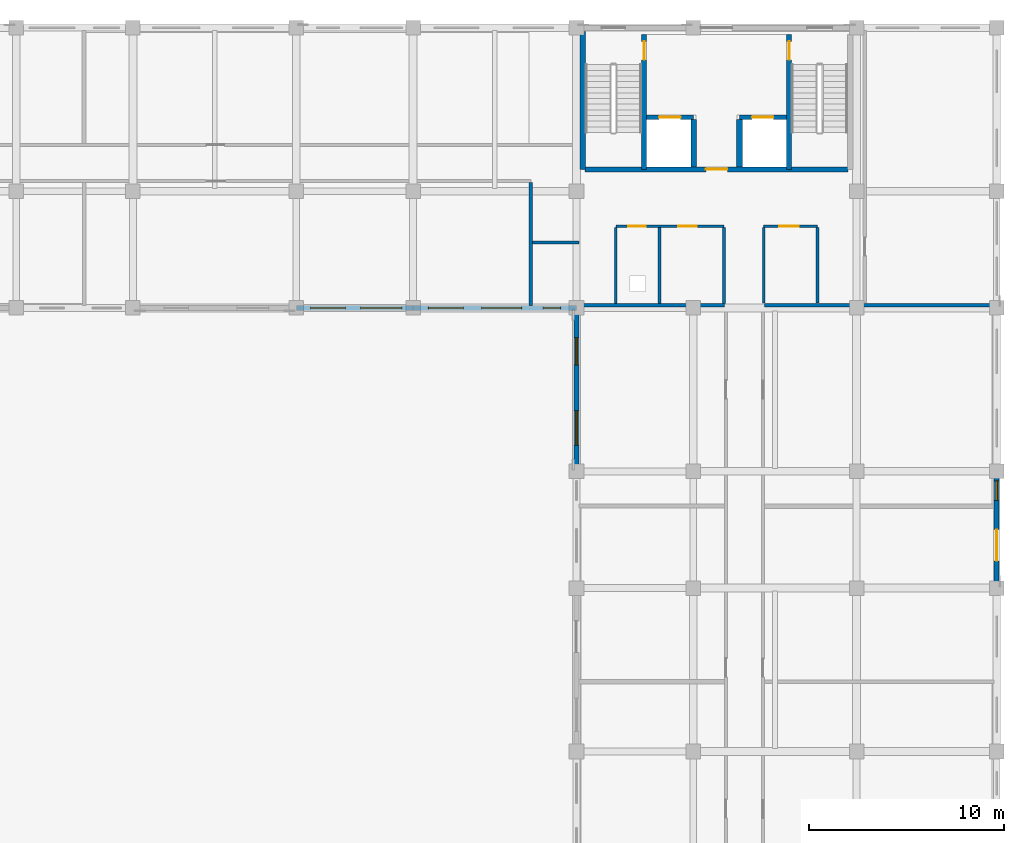
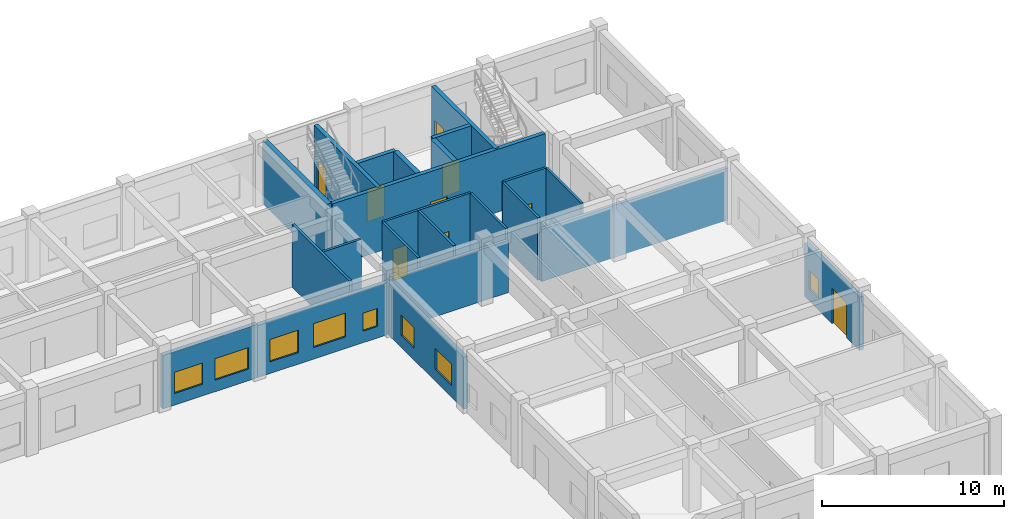
# One storey, part 47 of 67: 23 walls, 9 doors, 8 windows, 17 openings.
"""IFC4 building model written with IfcOpenShell, lengths in metres."""

from ifc_helpers import new_model, si_unit, direction, frame, frame_2d, origin, place, context, subcontext, project, spatial, rectangle, extrude, material, layer, layer_set, type_object, element, fill, save


model = new_model("IFC4")

# Units and contexts
model_context = context("Model", 3, precision=1e-05, world=origin(), true_north=direction((0.0, 1.0)))
body_context = subcontext(model_context, "Body", "Model", "MODEL_VIEW")
ifc_project = project(units=[si_unit("LENGTHUNIT", "METRE"), si_unit("AREAUNIT", "SQUARE_METRE"), si_unit("VOLUMEUNIT", "CUBIC_METRE"), si_unit("PLANEANGLEUNIT", "RADIAN"), si_unit("MASSUNIT", "GRAM", prefix="KILO"), si_unit("THERMODYNAMICTEMPERATUREUNIT", "KELVIN")], contexts=[model_context])

# Site, building, storey
site_placement = place(None, origin())
site = spatial("IfcSite", under=ifc_project, at=site_placement, CompositionType="ELEMENT")
building_placement = place(site_placement, origin())
building = spatial("IfcBuilding", under=site, at=building_placement, Name="Thalorik Housing Commons", CompositionType="ELEMENT")
storey_placement = place(building_placement, origin())
storey = spatial("IfcBuildingStorey", under=building, at=storey_placement, Name="L00", CompositionType="ELEMENT", Elevation=0.0)

# Wall, opening, door
ifc_material_1 = material(Name="Concrete C40/50", Category="concrete")
ifc_layer_1 = layer(ifc_material_1, 0.25, Name="Concrete C40/50", Category="concrete")
ifc_layer_set_1 = layer_set([ifc_layer_1], Name="Concrete C40/50")
wall_type_1 = type_object("IfcWallType", Name="ARC-WAL-CORE-250", PredefinedType="SHEAR", material=ifc_layer_set_1)
wall_1_placement = place(storey_placement, frame((155.875, 123.25, 0.0), z_axis=(0.0, 0.0, 1.0), x_axis=(0.0, -1.0, 0.0)))
wall_1 = element("IfcWall", 1, at=wall_1_placement, inside=storey, type_object=wall_type_1, Name="L00 Core B Stair 1 Shear Wall", PredefinedType="SHEAR", context=body_context, shape_type="SweptSolid", body=[
    extrude(rectangle(XDim=6.925048828125, YDim=0.25, at=frame_2d((3.46240234375, 0.0))), origin(), (0.0, 0.0, 1.0), 4.199951171875),
])
opening_1_placement = place(wall_1_placement, frame((0.35009765625, 0.0, 0.0)))
opening_1 = element("IfcOpeningElement", 2, at=opening_1_placement, cuts=wall_1, Name="Opening ID-0145", PredefinedType="OPENING", context=body_context, shape_type="SweptSolid", body=[
    extrude(rectangle(XDim=0.949951171875, YDim=2.10009765625, at=frame_2d((0.47509765625, 1.050048828125))), frame((0.0, 0.135009765625, 0.0), z_axis=(0.0, -1.0, 0.0), x_axis=(1.0, 0.0, 0.0)), (0.0, 0.0, 1.0), 0.27001953125),
])
ifc_material_2 = material(Name="Steel S355", Category="steel")
door_type_1 = type_object("IfcDoorType", Name="ARC-DR-FD60-950", OperationType="NOTDEFINED", PredefinedType="DOOR", material=ifc_material_2)
door_1_placement = place(opening_1_placement, origin())
door_1 = element("IfcDoor", 3, at=door_1_placement, inside=storey, type_object=door_type_1, Name="L00 Stair ST-B1 Fire Door", OperationType="SINGLE_SWING_RIGHT", OverallHeight=2.10009765625, OverallWidth=0.949951171875, PredefinedType="DOOR", context=body_context, shape_type="SweptSolid", body=[
    extrude(rectangle(XDim=0.949951171875, YDim=2.10009765625, at=frame_2d((0.47509765625, 1.050048828125))), frame((0.0, 0.02490234375, 0.0), z_axis=(0.0, -1.0, 0.0), x_axis=(1.0, 0.0, 0.0)), (0.0, 0.0, 1.0), 0.050048828125),
])
fill(opening_1, door_1)

wall_2_placement = place(storey_placement, frame((163.324951171875, 123.25, 0.0), z_axis=(0.0, 0.0, 1.0), x_axis=(0.0, -1.0, 0.0)))
wall_2 = element("IfcWall", 4, at=wall_2_placement, inside=storey, type_object=wall_type_1, Name="L00 Core B Stair 2 Shear Wall", PredefinedType="SHEAR", context=body_context, shape_type="SweptSolid", body=[
    extrude(rectangle(XDim=6.925048828125, YDim=0.25, at=frame_2d((3.46240234375, 0.0))), origin(), (0.0, 0.0, 1.0), 4.199951171875),
])
opening_2_placement = place(wall_2_placement, frame((0.35009765625, 0.0, 0.0)))
opening_2 = element("IfcOpeningElement", 5, at=opening_2_placement, cuts=wall_2, Name="Opening ID-0146", PredefinedType="OPENING", context=body_context, shape_type="SweptSolid", body=[
    extrude(rectangle(XDim=0.949951171875, YDim=2.10009765625, at=frame_2d((0.47509765625, 1.050048828125))), frame((0.0, 0.135009765625, 0.0), z_axis=(0.0, -1.0, 0.0), x_axis=(1.0, 0.0, 0.0)), (0.0, 0.0, 1.0), 0.27001953125),
])
door_2_placement = place(opening_2_placement, origin())
door_2 = element("IfcDoor", 6, at=door_2_placement, inside=storey, type_object=door_type_1, Name="L00 Stair ST-B2 Fire Door", OperationType="SINGLE_SWING_LEFT", OverallHeight=2.10009765625, OverallWidth=0.949951171875, PredefinedType="DOOR", context=body_context, shape_type="SweptSolid", body=[
    extrude(rectangle(XDim=0.949951171875, YDim=2.10009765625, at=frame_2d((0.47509765625, 1.050048828125))), frame((0.0, 0.02490234375, 0.0), z_axis=(0.0, -1.0, 0.0), x_axis=(1.0, 0.0, 0.0)), (0.0, 0.0, 1.0), 0.050048828125),
])
fill(opening_2, door_2)

wall_3_placement = place(storey_placement, frame((156.0, 119.0, 0.0), z_axis=(0.0, 0.0, 1.0), x_axis=(1.0, 0.0, 0.0)))
wall_3 = element("IfcWall", 7, at=wall_3_placement, inside=storey, type_object=wall_type_1, Name="L00 Lift LF-B1 Front Shaft Wall", PredefinedType="SHEAR", context=body_context, shape_type="SweptSolid", body=[
    extrude(rectangle(XDim=2.425048828125, YDim=0.25, at=frame_2d((1.21240234375, 0.0))), origin(), (0.0, 0.0, 1.0), 4.199951171875),
])
opening_3_placement = place(wall_3_placement, frame((0.64990234375, 0.0, 0.0)))
opening_3 = element("IfcOpeningElement", 8, at=opening_3_placement, cuts=wall_3, Name="Opening LD-LF-B1-L00", PredefinedType="OPENING", context=body_context, shape_type="SweptSolid", body=[
    extrude(rectangle(XDim=1.10009765625, YDim=2.14990234375, at=frame_2d((0.550048828125, 1.074951171875))), frame((0.0, 0.135009765625, 0.0), z_axis=(0.0, -1.0, 0.0), x_axis=(1.0, 0.0, 0.0)), (0.0, 0.0, 1.0), 0.27001953125),
])
door_type_2 = type_object("IfcDoorType", Name="ARC-DR-LIFT-1100", OperationType="NOTDEFINED", PredefinedType="DOOR", material=ifc_material_2)
door_3_placement = place(opening_3_placement, origin())
door_3 = element("IfcDoor", 9, at=door_3_placement, inside=storey, type_object=door_type_2, Name="L00 Lift LF-B1 Landing Door", OperationType="SLIDING_TO_LEFT", OverallHeight=2.14990234375, OverallWidth=1.10009765625, PredefinedType="DOOR", context=body_context, shape_type="SweptSolid", body=[
    extrude(rectangle(XDim=1.10009765625, YDim=2.14990234375, at=frame_2d((0.550048828125, 1.074951171875))), frame((0.0, 0.02490234375, 0.0), z_axis=(0.0, -1.0, 0.0), x_axis=(1.0, 0.0, 0.0)), (0.0, 0.0, 1.0), 0.050048828125),
])
fill(opening_3, door_3)

wall_4_placement = place(storey_placement, frame((160.77490234375, 119.0, 0.0), z_axis=(0.0, 0.0, 1.0), x_axis=(1.0, 0.0, 0.0)))
wall_4 = element("IfcWall", 10, at=wall_4_placement, inside=storey, type_object=wall_type_1, Name="L00 Lift LP-B2 Front Shaft Wall", PredefinedType="SHEAR", context=body_context, shape_type="SweptSolid", body=[
    extrude(rectangle(XDim=2.425048828125, YDim=0.25, at=frame_2d((1.21240234375, 0.0))), origin(), (0.0, 0.0, 1.0), 4.199951171875),
])
opening_4_placement = place(wall_4_placement, frame((0.64990234375, 0.0, 0.0)))
opening_4 = element("IfcOpeningElement", 11, at=opening_4_placement, cuts=wall_4, Name="Opening LD-LP-B2-L00", PredefinedType="OPENING", context=body_context, shape_type="SweptSolid", body=[
    extrude(rectangle(XDim=1.10009765625, YDim=2.14990234375, at=frame_2d((0.550048828125, 1.074951171875))), frame((0.0, 0.135009765625, 0.0), z_axis=(0.0, -1.0, 0.0), x_axis=(1.0, 0.0, 0.0)), (0.0, 0.0, 1.0), 0.27001953125),
])
door_4_placement = place(opening_4_placement, origin())
door_4 = element("IfcDoor", 12, at=door_4_placement, inside=storey, type_object=door_type_2, Name="L00 Lift LP-B2 Landing Door", OperationType="SLIDING_TO_LEFT", OverallHeight=2.14990234375, OverallWidth=1.10009765625, PredefinedType="DOOR", context=body_context, shape_type="SweptSolid", body=[
    extrude(rectangle(XDim=1.10009765625, YDim=2.14990234375, at=frame_2d((0.550048828125, 1.074951171875))), frame((0.0, 0.02490234375, 0.0), z_axis=(0.0, -1.0, 0.0), x_axis=(1.0, 0.0, 0.0)), (0.0, 0.0, 1.0), 0.050048828125),
])
fill(opening_4, door_4)

wall_5_placement = place(storey_placement, frame((152.85009765625, 116.324951171875, 0.0), z_axis=(0.0, 0.0, 1.0), x_axis=(1.0, 0.0, 0.0)))
wall_5 = element("IfcWall", 13, at=wall_5_placement, inside=storey, type_object=wall_type_1, Name="L00 Core B Spine Shear Wall", PredefinedType="SHEAR", context=body_context, shape_type="SweptSolid", body=[
    extrude(rectangle(XDim=13.5, YDim=0.25, at=frame_2d((6.75, 0.0))), origin(), (0.0, 0.0, 1.0), 4.199951171875),
])
opening_5_placement = place(wall_5_placement, frame((6.199951171875, 0.0, 0.0)))
opening_5 = element("IfcOpeningElement", 14, at=opening_5_placement, cuts=wall_5, Name="Opening ID-0149", PredefinedType="OPENING", context=body_context, shape_type="SweptSolid", body=[
    extrude(rectangle(XDim=1.10009765625, YDim=2.14990234375, at=frame_2d((0.550048828125, 1.074951171875))), frame((0.0, 0.135009765625, 0.0), z_axis=(0.0, -1.0, 0.0), x_axis=(1.0, 0.0, 0.0)), (0.0, 0.0, 1.0), 0.27001953125),
])
door_type_3 = type_object("IfcDoorType", Name="ARC-DR-FD60-1100", OperationType="NOTDEFINED", PredefinedType="DOOR", material=ifc_material_2)
door_5_placement = place(opening_5_placement, origin())
door_5 = element("IfcDoor", 15, at=door_5_placement, inside=storey, type_object=door_type_3, Name="L00 Core B Lobby Fire Door", OperationType="SINGLE_SWING_RIGHT", OverallHeight=2.14990234375, OverallWidth=1.10009765625, PredefinedType="DOOR", context=body_context, shape_type="SweptSolid", body=[
    extrude(rectangle(XDim=1.10009765625, YDim=2.14990234375, at=frame_2d((0.550048828125, 1.074951171875))), frame((0.0, 0.02490234375, 0.0), z_axis=(0.0, -1.0, 0.0), x_axis=(1.0, 0.0, 0.0)), (0.0, 0.0, 1.0), 0.050048828125),
])
fill(opening_5, door_5)

# Walls
ifc_layer_2 = layer(ifc_material_1, 0.300048828125, Name="Concrete C40/50", Category="concrete")
ifc_layer_set_2 = layer_set([ifc_layer_2], Name="Concrete C40/50")
wall_type_2 = type_object("IfcWallType", Name="ARC-WAL-CORE-300", PredefinedType="SHEAR", material=ifc_layer_set_2)
wall_6_placement = place(storey_placement, frame((152.72509765625, 123.39990234375, 0.0), z_axis=(0.0, 0.0, 1.0), x_axis=(0.0, -1.0, 0.0)))
element("IfcWall", 16, at=wall_6_placement, inside=storey, type_object=wall_type_2, Name="L00 Core B Stair 1 Outer Shear Wall", PredefinedType="SHEAR", context=body_context, shape_type="SweptSolid", body=[
    extrude(rectangle(XDim=7.074951171875, YDim=0.300048828125, at=frame_2d((3.53759765625, 0.0))), origin(), (0.0, 0.0, 1.0), 4.199951171875),
])
for number, where, z_axis, x_axis, name in (
    (17, (158.425048828125, 118.875, 0.0), (0.0, 0.0, 1.0), (0.0, -1.0, 0.0), "L00 Lift 1 Cheek Wall"),
    (18, (160.77490234375, 118.875, 0.0), (0.0, 0.0, 1.0), (0.0, -1.0, 0.0), "L00 Lift 2 Cheek Wall"),
):
    element("IfcWall", number, at=place(storey_placement, frame(where, z_axis=z_axis, x_axis=x_axis)), inside=storey, type_object=wall_type_2, Name=name, PredefinedType="SHEAR", context=body_context, shape_type="SweptSolid", body=[
        extrude(rectangle(XDim=2.425048828125, YDim=0.300048828125, at=frame_2d((1.21240234375, 0.0))), origin(), (0.0, 0.0, 1.0), 4.199951171875),
    ])
ifc_material_3 = material(Name="Masonry fire-rated corridor wall", Category="masonry")
ifc_layer_3 = layer(ifc_material_3, 0.14990234375, Name="Masonry fire-rated corridor wall", Category="masonry")
ifc_layer_set_3 = layer_set([ifc_layer_3], Name="Masonry fire-rated corridor wall")
wall_type_3 = type_object("IfcWallType", Name="ARC-WAL-CORR-150", PredefinedType="PARTITIONING", material=ifc_layer_set_3)
wall_7_placement = place(storey_placement, frame((150.134521484375, 112.570068359375, 0.0), z_axis=(0.0, 0.0, 1.0), x_axis=(1.0, 0.0, 0.0)))
element("IfcWall", 19, at=wall_7_placement, inside=storey, type_object=wall_type_3, Name="L00 Block B Vestibule South Wall", PredefinedType="PARTITIONING", context=body_context, shape_type="SweptSolid", body=[
    extrude(rectangle(XDim=2.405517578125, YDim=0.14990234375, at=frame_2d((1.20263671875, 0.0))), origin(), (0.0, 0.0, 1.0), 4.199951171875),
])
ifc_layer_4 = layer(ifc_material_3, 0.1650390625, Name="Masonry fire-rated corridor wall", Category="masonry")
ifc_layer_set_4 = layer_set([ifc_layer_4], Name="Masonry fire-rated corridor wall")
wall_type_4 = type_object("IfcWallType", Name="ARC-WAL-CORR-165", PredefinedType="PARTITIONING", material=ifc_layer_set_4)
wall_8_placement = place(storey_placement, frame((150.050048828125, 109.32958984375, 0.0), z_axis=(0.0, 0.0, 1.0), x_axis=(0.0, 1.0, 0.0)))
element("IfcWall", 20, at=wall_8_placement, inside=storey, type_object=wall_type_4, Name="L00 Block B Vestibule Cheek Wall", PredefinedType="PARTITIONING", context=body_context, shape_type="SweptSolid", body=[
    extrude(rectangle(XDim=6.305908203125, YDim=0.1650390625, at=frame_2d((3.15283203125, 0.0))), origin(), (0.0, 0.0, 1.0), 4.199951171875),
])

# Wall, openings, windows
ifc_material_4 = material(Name="White precast concrete C40/50", Category="concrete")
ifc_layer_5 = layer(ifc_material_4, 0.2548828125, Name="White precast concrete C40/50", Category="concrete")
ifc_layer_set_5 = layer_set([ifc_layer_5], Name="White precast concrete C40/50")
wall_type_5 = type_object("IfcWallType", Name="ARC-WAL-EXT-255", PredefinedType="STANDARD", material=ifc_layer_set_5)
wall_9_placement = place(storey_placement, frame((138.0, 109.199951171875, 0.0), z_axis=(0.0, 0.0, 1.0), x_axis=(1.0, 0.0, 0.0)))
wall_9 = element("IfcWall", 21, at=wall_9_placement, inside=storey, type_object=wall_type_5, Name="L00 Exterior Wall WAL-EXT-L00-B-0394", PredefinedType="STANDARD", context=body_context, shape_type="SweptSolid", body=[
    extrude(rectangle(XDim=6.0, YDim=0.2548828125, at=frame_2d((3.0, 0.0))), origin(), (0.0, 0.0, 1.0), 3.5849609375),
])
opening_6_placement = place(wall_9_placement, frame((0.739990234375, 0.0, 0.780029296875)))
opening_6 = element("IfcOpeningElement", 22, at=opening_6_placement, cuts=wall_9, Name="Opening W-57", PredefinedType="OPENING", context=body_context, shape_type="SweptSolid", body=[
    extrude(rectangle(XDim=1.780029296875, YDim=1.419921875, at=frame_2d((0.89013671875, 0.7099609375))), frame((0.0, 0.137451171875, 0.0), z_axis=(0.0, -1.0, 0.0), x_axis=(1.0, 0.0, 0.0)), (0.0, 0.0, 1.0), 0.27490234375),
])
opening_7_placement = place(wall_9_placement, frame((3.31005859375, 0.0, 0.780029296875)))
opening_7 = element("IfcOpeningElement", 23, at=opening_7_placement, cuts=wall_9, Name="Opening W-64", PredefinedType="OPENING", context=body_context, shape_type="SweptSolid", body=[
    extrude(rectangle(XDim=2.1201171875, YDim=1.43994140625, at=frame_2d((1.06005859375, 0.719970703125))), frame((0.0, 0.137451171875, 0.0), z_axis=(0.0, -1.0, 0.0), x_axis=(1.0, 0.0, 0.0)), (0.0, 0.0, 1.0), 0.27490234375),
])
ifc_material_5 = material(Name="Anodised aluminium and solar-control low-E glass", Category="aluminium")
window_type_1 = type_object("IfcWindowType", Name="ARC-WIN-57", PartitioningType="DOUBLE_PANEL_VERTICAL", PredefinedType="WINDOW", material=ifc_material_5)
window_1_placement = place(opening_6_placement, origin())
window_1 = element("IfcWindow", 24, at=window_1_placement, inside=storey, type_object=window_type_1, Name="L00 Facade Window 702", OverallHeight=1.419921875, OverallWidth=1.780029296875, PartitioningType="DOUBLE_PANEL_VERTICAL", PredefinedType="WINDOW", context=body_context, shape_type="SweptSolid", body=[
    extrude(rectangle(XDim=1.780029296875, YDim=1.419921875, at=frame_2d((0.89013671875, 0.7099609375))), frame((0.0, 0.030029296875, 0.0), z_axis=(0.0, -1.0, 0.0), x_axis=(1.0, 0.0, 0.0)), (0.0, 0.0, 1.0), 0.06005859375),
])
fill(opening_6, window_1)
window_type_2 = type_object("IfcWindowType", Name="ARC-WIN-64", PartitioningType="DOUBLE_PANEL_VERTICAL", PredefinedType="WINDOW", material=ifc_material_5)
window_2_placement = place(opening_7_placement, origin())
window_2 = element("IfcWindow", 25, at=window_2_placement, inside=storey, type_object=window_type_2, Name="L00 Facade Window 703", OverallHeight=1.43994140625, OverallWidth=2.1201171875, PartitioningType="DOUBLE_PANEL_VERTICAL", PredefinedType="WINDOW", context=body_context, shape_type="SweptSolid", body=[
    extrude(rectangle(XDim=2.1201171875, YDim=1.43994140625, at=frame_2d((1.06005859375, 0.719970703125))), frame((0.0, 0.030029296875, 0.0), z_axis=(0.0, -1.0, 0.0), x_axis=(1.0, 0.0, 0.0)), (0.0, 0.0, 1.0), 0.06005859375),
])
fill(opening_7, window_2)

wall_10_placement = place(storey_placement, frame((144.0, 109.199951171875, 0.0), z_axis=(0.0, 0.0, 1.0), x_axis=(1.0, 0.0, 0.0)))
wall_10 = element("IfcWall", 26, at=wall_10_placement, inside=storey, type_object=wall_type_5, Name="L00 Exterior Wall WAL-EXT-L00-B-0395", PredefinedType="STANDARD", context=body_context, shape_type="SweptSolid", body=[
    extrude(rectangle(XDim=8.39990234375, YDim=0.2548828125, at=frame_2d((4.199951171875, 0.0))), origin(), (0.0, 0.0, 1.0), 3.485107421875),
])
opening_8_placement = place(wall_10_placement, frame((0.7900390625, 0.0, 0.780029296875)))
opening_8 = element("IfcOpeningElement", 27, at=opening_8_placement, cuts=wall_10, Name="Opening W-18", PredefinedType="OPENING", context=body_context, shape_type="SweptSolid", body=[
    extrude(rectangle(XDim=1.800048828125, YDim=1.5, at=frame_2d((0.89990234375, 0.75))), frame((0.0, 0.137451171875, 0.0), z_axis=(0.0, -1.0, 0.0), x_axis=(1.0, 0.0, 0.0)), (0.0, 0.0, 1.0), 0.27490234375),
])
opening_9_placement = place(wall_10_placement, frame((3.52490234375, 0.0, 0.780029296875)))
opening_9 = element("IfcOpeningElement", 28, at=opening_9_placement, cuts=wall_10, Name="Opening W-25", PredefinedType="OPENING", context=body_context, shape_type="SweptSolid", body=[
    extrude(rectangle(XDim=2.050048828125, YDim=1.60009765625, at=frame_2d((1.02490234375, 0.800048828125))), frame((0.0, 0.137451171875, 0.0), z_axis=(0.0, -1.0, 0.0), x_axis=(1.0, 0.0, 0.0)), (0.0, 0.0, 1.0), 0.27490234375),
])
opening_10_placement = place(wall_10_placement, frame((6.679931640625, 0.0, 0.780029296875)))
opening_10 = element("IfcOpeningElement", 29, at=opening_10_placement, cuts=wall_10, Name="Opening W-01", PredefinedType="OPENING", context=body_context, shape_type="SweptSolid", body=[
    extrude(rectangle(XDim=0.89990234375, YDim=1.199951171875, at=frame_2d((0.449951171875, 0.60009765625))), frame((0.0, 0.137451171875, 0.0), z_axis=(0.0, -1.0, 0.0), x_axis=(1.0, 0.0, 0.0)), (0.0, 0.0, 1.0), 0.27490234375),
])
window_type_3 = type_object("IfcWindowType", Name="ARC-WIN-01", PartitioningType="SINGLE_PANEL", PredefinedType="WINDOW", material=ifc_material_5)
window_3_placement = place(opening_10_placement, origin())
window_3 = element("IfcWindow", 30, at=window_3_placement, inside=storey, type_object=window_type_3, Name="L00 Facade Window 706", OverallHeight=1.199951171875, OverallWidth=0.89990234375, PartitioningType="SINGLE_PANEL", PredefinedType="WINDOW", context=body_context, shape_type="SweptSolid", body=[
    extrude(rectangle(XDim=0.89990234375, YDim=1.199951171875, at=frame_2d((0.449951171875, 0.60009765625))), frame((0.0, 0.030029296875, 0.0), z_axis=(0.0, -1.0, 0.0), x_axis=(1.0, 0.0, 0.0)), (0.0, 0.0, 1.0), 0.06005859375),
])
fill(opening_10, window_3)
window_type_4 = type_object("IfcWindowType", Name="ARC-WIN-18", PartitioningType="DOUBLE_PANEL_VERTICAL", PredefinedType="WINDOW", material=ifc_material_5)
window_4_placement = place(opening_8_placement, origin())
window_4 = element("IfcWindow", 31, at=window_4_placement, inside=storey, type_object=window_type_4, Name="L00 Facade Window 704", OverallHeight=1.5, OverallWidth=1.800048828125, PartitioningType="DOUBLE_PANEL_VERTICAL", PredefinedType="WINDOW", context=body_context, shape_type="SweptSolid", body=[
    extrude(rectangle(XDim=1.800048828125, YDim=1.5, at=frame_2d((0.89990234375, 0.75))), frame((0.0, 0.030029296875, 0.0), z_axis=(0.0, -1.0, 0.0), x_axis=(1.0, 0.0, 0.0)), (0.0, 0.0, 1.0), 0.06005859375),
])
fill(opening_8, window_4)
window_type_5 = type_object("IfcWindowType", Name="ARC-WIN-25", PartitioningType="DOUBLE_PANEL_VERTICAL", PredefinedType="WINDOW", material=ifc_material_5)
window_5_placement = place(opening_9_placement, origin())
window_5 = element("IfcWindow", 32, at=window_5_placement, inside=storey, type_object=window_type_5, Name="L00 Facade Window 705", OverallHeight=1.60009765625, OverallWidth=2.050048828125, PartitioningType="DOUBLE_PANEL_VERTICAL", PredefinedType="WINDOW", context=body_context, shape_type="SweptSolid", body=[
    extrude(rectangle(XDim=2.050048828125, YDim=1.60009765625, at=frame_2d((1.02490234375, 0.800048828125))), frame((0.0, 0.030029296875, 0.0), z_axis=(0.0, -1.0, 0.0), x_axis=(1.0, 0.0, 0.0)), (0.0, 0.0, 1.0), 0.06005859375),
])
fill(opening_9, window_5)

wall_11_placement = place(storey_placement, frame((152.39990234375, 109.199951171875, 0.0), z_axis=(0.0, 0.0, 1.0), x_axis=(0.0, -1.0, 0.0)))
wall_11 = element("IfcWall", 33, at=wall_11_placement, inside=storey, type_object=wall_type_5, Name="L00 Exterior Wall WAL-EXT-L00-B-0396", PredefinedType="STANDARD", context=body_context, shape_type="SweptSolid", body=[
    extrude(rectangle(XDim=8.39990234375, YDim=0.2548828125, at=frame_2d((4.199951171875, 0.0))), origin(), (0.0, 0.0, 1.0), 3.485107421875),
])
opening_11_placement = place(wall_11_placement, frame((1.52001953125, 0.0, 0.780029296875)))
opening_11 = element("IfcOpeningElement", 34, at=opening_11_placement, cuts=wall_11, Name="Opening W-50", PredefinedType="OPENING", context=body_context, shape_type="SweptSolid", body=[
    extrude(rectangle(XDim=1.419921875, YDim=1.3798828125, at=frame_2d((0.7099609375, 0.68994140625))), frame((0.0, 0.137451171875, 0.0), z_axis=(0.0, -1.0, 0.0), x_axis=(1.0, 0.0, 0.0)), (0.0, 0.0, 1.0), 0.27490234375),
])
opening_12_placement = place(wall_11_placement, frame((5.280029296875, 0.0, 0.780029296875)))
opening_12 = element("IfcOpeningElement", 35, at=opening_12_placement, cuts=wall_11, Name="Opening W-57", PredefinedType="OPENING", context=body_context, shape_type="SweptSolid", body=[
    extrude(rectangle(XDim=1.780029296875, YDim=1.419921875, at=frame_2d((0.89013671875, 0.7099609375))), frame((0.0, 0.137451171875, 0.0), z_axis=(0.0, -1.0, 0.0), x_axis=(1.0, 0.0, 0.0)), (0.0, 0.0, 1.0), 0.27490234375),
])
window_type_6 = type_object("IfcWindowType", Name="ARC-WIN-50", PartitioningType="SINGLE_PANEL", PredefinedType="WINDOW", material=ifc_material_5)
window_6_placement = place(opening_11_placement, origin())
window_6 = element("IfcWindow", 36, at=window_6_placement, inside=storey, type_object=window_type_6, Name="L00 Facade Window 707", OverallHeight=1.3798828125, OverallWidth=1.419921875, PartitioningType="SINGLE_PANEL", PredefinedType="WINDOW", context=body_context, shape_type="SweptSolid", body=[
    extrude(rectangle(XDim=1.419921875, YDim=1.3798828125, at=frame_2d((0.7099609375, 0.68994140625))), frame((0.0, 0.030029296875, 0.0), z_axis=(0.0, -1.0, 0.0), x_axis=(1.0, 0.0, 0.0)), (0.0, 0.0, 1.0), 0.06005859375),
])
fill(opening_11, window_6)
window_7_placement = place(opening_12_placement, origin())
window_7 = element("IfcWindow", 37, at=window_7_placement, inside=storey, type_object=window_type_1, Name="L00 Facade Window 708", OverallHeight=1.419921875, OverallWidth=1.780029296875, PartitioningType="DOUBLE_PANEL_VERTICAL", PredefinedType="WINDOW", context=body_context, shape_type="SweptSolid", body=[
    extrude(rectangle(XDim=1.780029296875, YDim=1.419921875, at=frame_2d((0.89013671875, 0.7099609375))), frame((0.0, 0.030029296875, 0.0), z_axis=(0.0, -1.0, 0.0), x_axis=(1.0, 0.0, 0.0)), (0.0, 0.0, 1.0), 0.06005859375),
])
fill(opening_12, window_7)

# Wall, openings, door, window
wall_12_placement = place(storey_placement, frame((174.0, 94.800048828125, 0.0), z_axis=(0.0, 0.0, 1.0), x_axis=(0.0, 1.0, 0.0)))
wall_12 = element("IfcWall", 38, at=wall_12_placement, inside=storey, type_object=wall_type_5, Name="L00 Exterior Wall WAL-EXT-L00-B-0405", PredefinedType="STANDARD", context=body_context, shape_type="SweptSolid", body=[
    extrude(rectangle(XDim=6.0, YDim=0.2548828125, at=frame_2d((3.0, 0.0))), origin(), (0.0, 0.0, 1.0), 3.5849609375),
])
opening_13_placement = place(wall_12_placement, frame((1.39990234375, 0.0, 0.0)))
opening_13 = element("IfcOpeningElement", 39, at=opening_13_placement, cuts=wall_12, Name="Opening ED-0122", PredefinedType="OPENING", context=body_context, shape_type="SweptSolid", body=[
    extrude(rectangle(XDim=1.60009765625, YDim=2.35009765625, at=frame_2d((0.800048828125, 1.175048828125))), frame((0.0, 0.137451171875, 0.0), z_axis=(0.0, -1.0, 0.0), x_axis=(1.0, 0.0, 0.0)), (0.0, 0.0, 1.0), 0.27490234375),
])
opening_14_placement = place(wall_12_placement, frame((4.510009765625, 0.0, 0.780029296875)))
opening_14 = element("IfcOpeningElement", 40, at=opening_14_placement, cuts=wall_12, Name="Opening W-02", PredefinedType="OPENING", context=body_context, shape_type="SweptSolid", body=[
    extrude(rectangle(XDim=1.0, YDim=1.25, at=frame_2d((0.5, 0.625))), frame((0.0, 0.137451171875, 0.0), z_axis=(0.0, -1.0, 0.0), x_axis=(1.0, 0.0, 0.0)), (0.0, 0.0, 1.0), 0.27490234375),
])
ifc_material_6 = material(Name="Anodised aluminium and laminated safety glass", Category="aluminium")
door_type_4 = type_object("IfcDoorType", Name="ARC-DR-EXT-LOB-1600", OperationType="NOTDEFINED", PredefinedType="DOOR", material=ifc_material_6)
door_6_placement = place(opening_13_placement, frame((1.60009765625, 0.0, 0.0), z_axis=(0.0, 0.0, 1.0), x_axis=(-1.0, 0.0, 0.0)))
door_6 = element("IfcDoor", 41, at=door_6_placement, inside=storey, type_object=door_type_4, Name="L00 Block B Courtyard Entrance Door", OperationType="DOUBLE_DOOR_SINGLE_SWING", OverallHeight=2.35009765625, OverallWidth=1.60009765625, PredefinedType="DOOR", context=body_context, shape_type="SweptSolid", body=[
    extrude(rectangle(XDim=1.60009765625, YDim=2.35009765625, at=frame_2d((0.800048828125, 1.175048828125))), frame((0.0, 0.02490234375, 0.0), z_axis=(0.0, -1.0, 0.0), x_axis=(1.0, 0.0, 0.0)), (0.0, 0.0, 1.0), 0.050048828125),
])
fill(opening_13, door_6)
window_type_7 = type_object("IfcWindowType", Name="ARC-WIN-02", PartitioningType="SINGLE_PANEL", PredefinedType="WINDOW", material=ifc_material_5)
window_8_placement = place(opening_14_placement, origin())
window_8 = element("IfcWindow", 42, at=window_8_placement, inside=storey, type_object=window_type_7, Name="L00 Facade Window 723", OverallHeight=1.25, OverallWidth=1.0, PartitioningType="SINGLE_PANEL", PredefinedType="WINDOW", context=body_context, shape_type="SweptSolid", body=[
    extrude(rectangle(XDim=1.0, YDim=1.25, at=frame_2d((0.5, 0.625))), frame((0.0, 0.030029296875, 0.0), z_axis=(0.0, -1.0, 0.0), x_axis=(1.0, 0.0, 0.0)), (0.0, 0.0, 1.0), 0.06005859375),
])
fill(opening_14, window_8)

# Walls
ifc_material_7 = material(Name="Ceramic masonry partition wall", Category="masonry")
ifc_layer_6 = layer(ifc_material_7, 0.14794921875, Name="Ceramic masonry partition wall", Category="masonry")
ifc_layer_set_6 = layer_set([ifc_layer_6], Name="Ceramic masonry partition wall")
wall_type_6 = type_object("IfcWallType", Name="ARC-WAL-PART-150", PredefinedType="PARTITIONING", material=ifc_layer_set_6)
for number, where, z_axis, x_axis, name in (
    (43, (154.419921875, 113.323974609375, 0.0), (0.0, 0.0, 1.0), (0.0, -1.0, 0.0), "Core West Enclosing Wall"),
    (44, (156.675048828125, 113.323974609375, 0.0), (0.0, 0.0, 1.0), (0.0, -1.0, 0.0), "Riser Wall"),
    (45, (159.97509765625, 113.323974609375, 0.0), (0.0, 0.0, 1.0), (0.0, -1.0, 0.0), "Core Stem West Cheek Wall"),
):
    element("IfcWall", number, at=place(storey_placement, frame(where, z_axis=z_axis, x_axis=x_axis)), inside=storey, type_object=wall_type_6, Name=name, PredefinedType="PARTITIONING", context=body_context, shape_type="SweptSolid", body=[
        extrude(rectangle(XDim=3.889404296875, YDim=0.14794921875, at=frame_2d((1.94482421875, 0.0))), origin(), (0.0, 0.0, 1.0), 4.199951171875),
    ])
for number, where, z_axis, x_axis, name in (
    (46, (162.02490234375, 113.323974609375, 0.0), (0.0, 0.0, 1.0), (0.0, -1.0, 0.0), "Core Stem East Cheek Wall"),
    (47, (164.780029296875, 113.323974609375, 0.0), (0.0, 0.0, 1.0), (0.0, -1.0, 0.0), "Core East Enclosing Wall"),
):
    element("IfcWall", number, at=place(storey_placement, frame(where, z_axis=z_axis, x_axis=x_axis)), inside=storey, type_object=wall_type_6, Name=name, PredefinedType="PARTITIONING", context=body_context, shape_type="SweptSolid", body=[
        extrude(rectangle(XDim=3.882080078125, YDim=0.14794921875, at=frame_2d((1.94091796875, 0.0))), origin(), (0.0, 0.0, 1.0), 4.199951171875),
    ])

# Wall, openings, doors
wall_13_placement = place(storey_placement, frame((154.419921875, 113.39990234375, 0.0), z_axis=(0.0, 0.0, 1.0), x_axis=(1.0, 0.0, 0.0)))
wall_13 = element("IfcWall", 48, at=wall_13_placement, inside=storey, type_object=wall_type_6, Name="L00 Core B West Corridor Partition", PredefinedType="PARTITIONING", context=body_context, shape_type="SweptSolid", body=[
    extrude(rectangle(XDim=5.55517578125, YDim=0.14794921875, at=frame_2d((2.777587890625, 0.0))), origin(), (0.0, 0.0, 1.0), 4.199951171875),
])
opening_15_placement = place(wall_13_placement, frame((0.64990234375, 0.0, 0.0)))
opening_15 = element("IfcOpeningElement", 49, at=opening_15_placement, cuts=wall_13, Name="Opening ID-0150", PredefinedType="OPENING", context=body_context, shape_type="SweptSolid", body=[
    extrude(rectangle(XDim=0.89990234375, YDim=2.10009765625, at=frame_2d((0.449951171875, 1.050048828125))), frame((0.0, 0.083984375, 0.0), z_axis=(0.0, -1.0, 0.0), x_axis=(1.0, 0.0, 0.0)), (0.0, 0.0, 1.0), 0.16796875),
])
opening_16_placement = place(wall_13_placement, frame((3.199951171875, 0.0, 0.0)))
opening_16 = element("IfcOpeningElement", 50, at=opening_16_placement, cuts=wall_13, Name="Opening ID-0151", PredefinedType="OPENING", context=body_context, shape_type="SweptSolid", body=[
    extrude(rectangle(XDim=0.949951171875, YDim=2.10009765625, at=frame_2d((0.47509765625, 1.050048828125))), frame((0.0, 0.083984375, 0.0), z_axis=(0.0, -1.0, 0.0), x_axis=(1.0, 0.0, 0.0)), (0.0, 0.0, 1.0), 0.16796875),
])
door_type_5 = type_object("IfcDoorType", Name="ARC-DR-FD60-900", OperationType="NOTDEFINED", PredefinedType="DOOR", material=ifc_material_2)
door_7_placement = place(opening_15_placement, origin())
door_7 = element("IfcDoor", 51, at=door_7_placement, inside=storey, type_object=door_type_5, Name="Electrical Riser Door", OperationType="SINGLE_SWING_LEFT", OverallHeight=2.10009765625, OverallWidth=0.89990234375, PredefinedType="DOOR", context=body_context, shape_type="SweptSolid", body=[
    extrude(rectangle(XDim=0.89990234375, YDim=2.10009765625, at=frame_2d((0.449951171875, 1.050048828125))), frame((0.0, 0.02490234375, 0.0), z_axis=(0.0, -1.0, 0.0), x_axis=(1.0, 0.0, 0.0)), (0.0, 0.0, 1.0), 0.050048828125),
])
fill(opening_15, door_7)
ifc_material_8 = material(Name="Engineered oak timber", Category="wood")
door_type_6 = type_object("IfcDoorType", Name="ARC-DR-INT-950", OperationType="NOTDEFINED", PredefinedType="DOOR", material=ifc_material_8)
door_8_placement = place(opening_16_placement, origin())
door_8 = element("IfcDoor", 52, at=door_8_placement, inside=storey, type_object=door_type_6, Name="Accessible Bathroom Door", OperationType="SINGLE_SWING_RIGHT", OverallHeight=2.10009765625, OverallWidth=0.949951171875, PredefinedType="DOOR", context=body_context, shape_type="SweptSolid", body=[
    extrude(rectangle(XDim=0.949951171875, YDim=2.10009765625, at=frame_2d((0.47509765625, 1.050048828125))), frame((0.0, 0.02490234375, 0.0), z_axis=(0.0, -1.0, 0.0), x_axis=(1.0, 0.0, 0.0)), (0.0, 0.0, 1.0), 0.050048828125),
])
fill(opening_16, door_8)

# Wall, opening, door
wall_14_placement = place(storey_placement, frame((162.02490234375, 113.39990234375, 0.0), z_axis=(0.0, 0.0, 1.0), x_axis=(1.0, 0.0, 0.0)))
wall_14 = element("IfcWall", 53, at=wall_14_placement, inside=storey, type_object=wall_type_6, Name="L00 Core B East Corridor Partition", PredefinedType="PARTITIONING", context=body_context, shape_type="SweptSolid", body=[
    extrude(rectangle(XDim=2.755126953125, YDim=0.14794921875, at=frame_2d((1.37744140625, 0.0))), origin(), (0.0, 0.0, 1.0), 4.199951171875),
])
opening_17_placement = place(wall_14_placement, frame((0.800048828125, 0.0, 0.0)))
opening_17 = element("IfcOpeningElement", 54, at=opening_17_placement, cuts=wall_14, Name="Opening ID-0152", PredefinedType="OPENING", context=body_context, shape_type="SweptSolid", body=[
    extrude(rectangle(XDim=1.0, YDim=2.14990234375, at=frame_2d((0.5, 1.074951171875))), frame((0.0, 0.083984375, 0.0), z_axis=(0.0, -1.0, 0.0), x_axis=(1.0, 0.0, 0.0)), (0.0, 0.0, 1.0), 0.16796875),
])
door_type_7 = type_object("IfcDoorType", Name="ARC-DR-FD60-1000", OperationType="NOTDEFINED", PredefinedType="DOOR", material=ifc_material_2)
door_9_placement = place(opening_17_placement, origin())
door_9 = element("IfcDoor", 55, at=door_9_placement, inside=storey, type_object=door_type_7, Name="Core Hub Room Door", OperationType="SINGLE_SWING_LEFT", OverallHeight=2.14990234375, OverallWidth=1.0, PredefinedType="DOOR", context=body_context, shape_type="SweptSolid", body=[
    extrude(rectangle(XDim=1.0, YDim=2.14990234375, at=frame_2d((0.5, 1.074951171875))), frame((0.0, 0.02490234375, 0.0), z_axis=(0.0, -1.0, 0.0), x_axis=(1.0, 0.0, 0.0)), (0.0, 0.0, 1.0), 0.050048828125),
])
fill(opening_17, door_9)

# Walls
ifc_material_9 = material(Name="Masonry acoustic blockwork wall", Category="masonry")
ifc_layer_7 = layer(ifc_material_9, 0.18505859375, Name="Masonry acoustic blockwork wall", Category="masonry")
ifc_layer_set_7 = layer_set([ifc_layer_7], Name="Masonry acoustic blockwork wall")
wall_type_7 = type_object("IfcWallType", Name="ARC-WAL-PARTY-185", PredefinedType="PARTITIONING", material=ifc_layer_set_7)
wall_15_placement = place(storey_placement, frame((152.4599609375, 109.340087890625, 0.0), z_axis=(0.0, 0.0, 1.0), x_axis=(1.0, 0.0, 0.0)))
element("IfcWall", 56, at=wall_15_placement, inside=storey, type_object=wall_type_7, Name="L00 Core End Wall A", PredefinedType="PARTITIONING", context=body_context, shape_type="SweptSolid", body=[
    extrude(rectangle(XDim=7.54296875, YDim=0.18505859375, at=frame_2d((3.771484375, 0.0))), origin(), (0.0, 0.0, 1.0), 3.485107421875),
])
ifc_material_10 = material(Name="Precast concrete C40/50 acoustic wall", Category="concrete")
ifc_layer_8 = layer(ifc_material_10, 0.199951171875, Name="Precast concrete C40/50 acoustic wall", Category="concrete")
ifc_layer_set_8 = layer_set([ifc_layer_8], Name="Precast concrete C40/50 acoustic wall")
wall_type_8 = type_object("IfcWallType", Name="ARC-WAL-PARTY-200", PredefinedType="PARTITIONING", material=ifc_layer_set_8)
wall_16_placement = place(storey_placement, frame((162.064453125, 109.340087890625, 0.0), z_axis=(0.0, 0.0, 1.0), x_axis=(1.0, 0.0, 0.0)))
element("IfcWall", 57, at=wall_16_placement, inside=storey, type_object=wall_type_8, Name="L00 Core End Wall B", PredefinedType="PARTITIONING", context=body_context, shape_type="SweptSolid", body=[
    extrude(rectangle(XDim=11.80615234375, YDim=0.199951171875, at=frame_2d((5.903076171875, 0.0))), origin(), (0.0, 0.0, 1.0), 3.485107421875),
])

save(model, "model.ifc")
